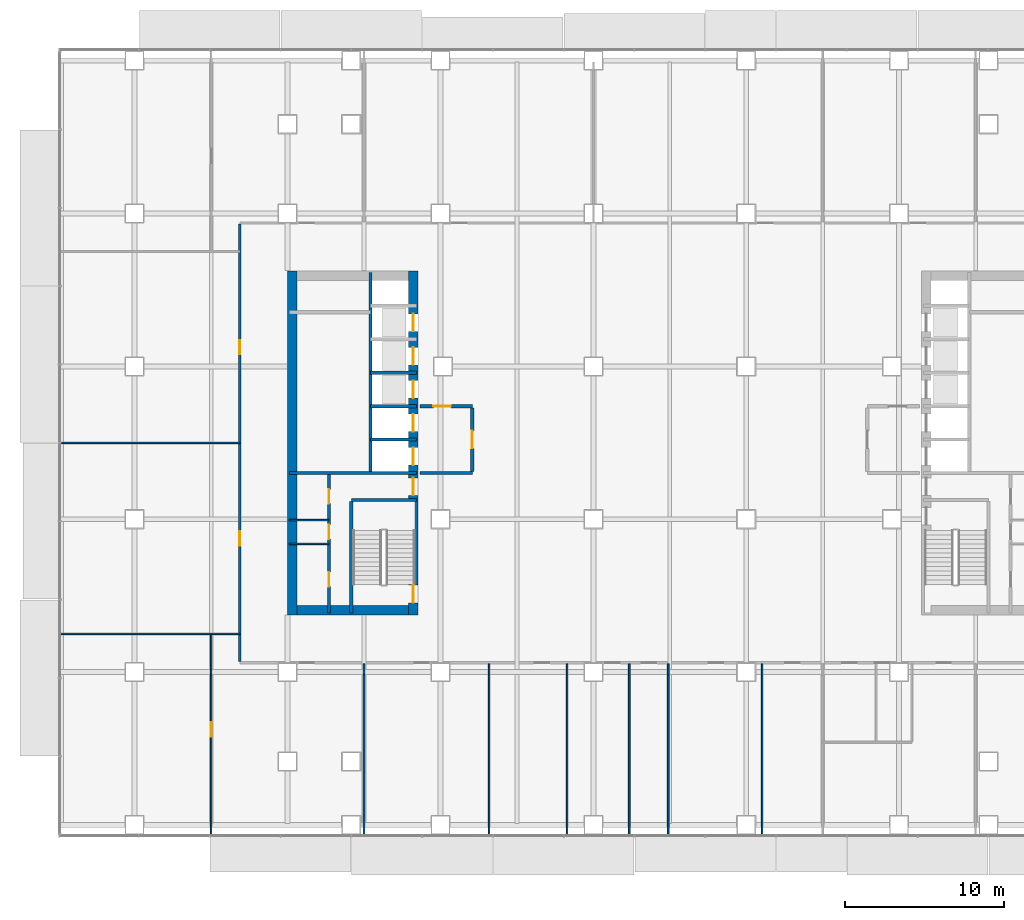
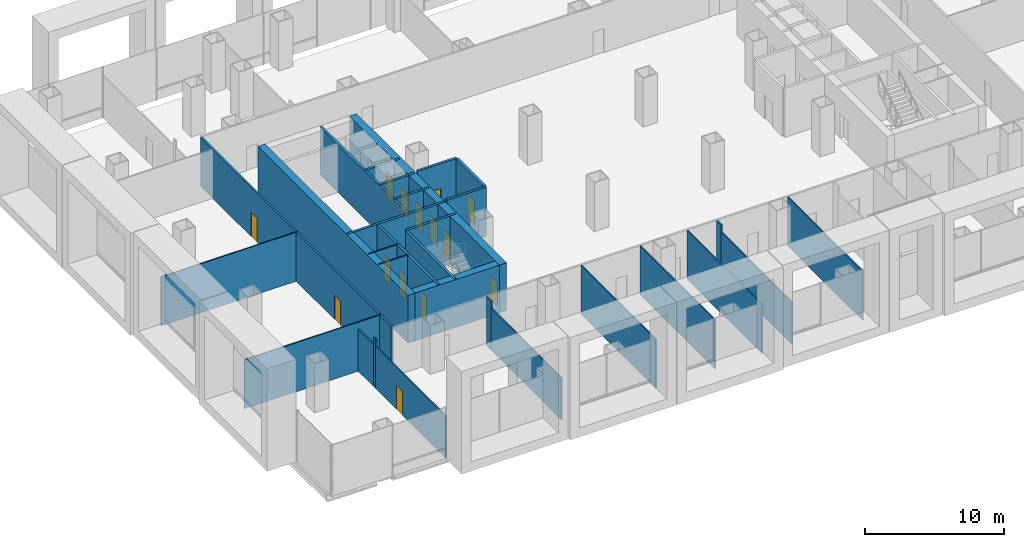
# One storey, part 14 of 23: 30 walls, 15 doors, 15 openings.
"""IFC4 building model written with IfcOpenShell, lengths in metres."""

import ifcopenshell
import ifcopenshell.guid

model = None  # the IFC model being written
_history = None  # IfcOwnerHistory: only IFC2X3 demands one
_inside = {}  # id of a spatial element -> (the spatial element, [elements in it])
_under = {}  # id of a project, library or spatial element -> (it, [spatial elements below it])
_declared = {}  # id of a project -> (the project, [libraries it declares])
_typed = {}  # id of a type object -> (the type object, [elements of that type])
_made_of = {}  # id of a material, layer set ... -> (it, [elements and type objects made of it])


def new_model(schema):
    """Start an empty IFC model of exactly this schema.

    Asked for "IFC4X3", IfcOpenShell would pick the latest addendum, in which some entities
    have other attributes; the version numbers below select the first issue.
    IFC2X3 requires an IfcOwnerHistory on every rooted entity: one is made here for all.
    """
    global model, _history
    if schema == "IFC4X3":
        model = ifcopenshell.file(schema_version=(4, 3, 0, 0))
    else:
        model = ifcopenshell.file(schema=schema)
    _inside.clear()
    _under.clear()
    _declared.clear()
    _typed.clear()
    _made_of.clear()
    _history = None
    if model.schema == "IFC2X3":
        org = make("IfcOrganization", Name="unknown")
        user = make(
            "IfcPersonAndOrganization",
            ThePerson=make("IfcPerson", FamilyName="unknown"),
            TheOrganization=org,
        )
        app = make(
            "IfcApplication",
            ApplicationDeveloper=org,
            Version="unknown",
            ApplicationFullName="unknown",
            ApplicationIdentifier="unknown",
        )
        _history = make(
            "IfcOwnerHistory",
            OwningUser=user,
            OwningApplication=app,
            ChangeAction="ADDED",
            CreationDate=0,
        )
    return model


def make(cls, **values):
    """One entity of the class cls with the attributes given. An attribute that is None is left unset."""
    return model.create_entity(
        cls, **{name: value for name, value in values.items() if value is not None}
    )


def rooted(cls, **values):
    """An entity with a GlobalId (a new one), such as an element, a storey or a relation."""
    return make(cls, GlobalId=ifcopenshell.guid.new(), OwnerHistory=_history, **values)


def si_unit(unit_type, name, prefix=None):
    """IfcSIUnit, for example si_unit("LENGTHUNIT", "METRE", prefix="MILLI")."""
    return make("IfcSIUnit", UnitType=unit_type, Prefix=prefix, Name=name)


def assignment(units):
    """IfcUnitAssignment: the units of a project."""
    return None if units is None else make("IfcUnitAssignment", Units=units)


def point(xyz):
    """IfcCartesianPoint."""
    return None if xyz is None else make("IfcCartesianPoint", Coordinates=xyz)


def direction(xyz):
    """IfcDirection."""
    return None if xyz is None else make("IfcDirection", DirectionRatios=xyz)


def frame(location, z_axis=None, x_axis=None):
    """IfcAxis2Placement3D, a coordinate frame: its origin and axes. An axis left out is left unset."""
    return make(
        "IfcAxis2Placement3D",
        Location=point(location),
        Axis=direction(z_axis),
        RefDirection=direction(x_axis),
    )


def frame_2d(location, x_axis=None):
    """IfcAxis2Placement2D, a coordinate frame in the plane: its origin and x axis."""
    return make(
        "IfcAxis2Placement2D", Location=point(location), RefDirection=direction(x_axis)
    )


def origin():
    """The frame at (0, 0, 0) with its axes left unset."""
    return frame((0.0, 0.0, 0.0))


def place(relative_to, where):
    """IfcLocalPlacement: puts the frame where relative to a parent placement (None: the world)."""
    return make(
        "IfcLocalPlacement", PlacementRelTo=relative_to, RelativePlacement=where
    )


def context(
    kind, dimensions, precision=None, world=None, true_north=None, identifier=None
):
    """IfcGeometricRepresentationContext, for example the 3D "Model" context."""
    return make(
        "IfcGeometricRepresentationContext",
        ContextIdentifier=identifier,
        ContextType=kind,
        CoordinateSpaceDimension=dimensions,
        Precision=precision,
        WorldCoordinateSystem=world,
        TrueNorth=true_north,
    )


def subcontext(parent, identifier, kind, view, scale=None):
    """IfcGeometricRepresentationSubContext, for example "Body" below "Model"."""
    return make(
        "IfcGeometricRepresentationSubContext",
        ContextIdentifier=identifier,
        ContextType=kind,
        ParentContext=parent,
        TargetScale=scale,
        TargetView=view,
    )


def project(units=None, contexts=None):
    """IfcProject with its units and contexts."""
    return rooted(
        "IfcProject",
        Name="project",
        RepresentationContexts=contexts,
        UnitsInContext=assignment(units),
    )


def spatial(cls, under=None, at=None, **own):
    """A site, building, storey or space (cls), placed at a placement, below another one or the project."""
    s = rooted(cls, ObjectPlacement=at, **own)
    if under is not None:
        _under.setdefault(under.id(), (under, []))[1].append(s)
    return s


def profile(cls, at=None, kind="AREA", **sizes):
    """A parametric profile (cls). Its sizes go by their IFC names, for example OverallWidth=200.0."""
    return make(cls, ProfileType=kind, Position=at, **sizes)


def rectangle(**sizes):
    """IfcRectangleProfileDef."""
    return profile("IfcRectangleProfileDef", **sizes)


def extrude(swept, where, along, depth):
    """IfcExtrudedAreaSolid: the profile swept, set in the frame where, extruded along a direction by depth."""
    return make(
        "IfcExtrudedAreaSolid",
        SweptArea=swept,
        Position=where,
        ExtrudedDirection=direction(along),
        Depth=depth,
    )


def shape(context_of_items, identifier, shape_type, items):
    """IfcShapeRepresentation: the items that make up one representation, for example the "Body"."""
    return make(
        "IfcShapeRepresentation",
        ContextOfItems=context_of_items,
        RepresentationIdentifier=identifier,
        RepresentationType=shape_type,
        Items=items,
    )


def material(Name=None, Category=None):
    """IfcMaterial."""
    return make("IfcMaterial", Name=Name, Category=Category)


def layer(
    of_material, thickness, ventilated=None, Name=None, Category=None, Priority=None
):
    """IfcMaterialLayer: one layer of a wall or slab, of a material (None: an air gap)."""
    return make(
        "IfcMaterialLayer",
        Material=of_material,
        LayerThickness=thickness,
        IsVentilated=ventilated,
        Name=Name,
        Category=Category,
        Priority=Priority,
    )


def layer_set(layers, Name=None):
    """IfcMaterialLayerSet."""
    return make("IfcMaterialLayerSet", MaterialLayers=layers, LayerSetName=Name)


def made_of(thing, what):
    """Note that an element or type object is made of a material, layer set ...; save() writes the relation."""
    if what is not None:
        _made_of.setdefault(what.id(), (what, []))[1].append(thing)
    return thing


def type_object(cls, material=None, **own):
    """A type object (cls), such as IfcWallType, which elements share."""
    return made_of(rooted(cls, **own), material)


def element(
    cls,
    number,
    at=None,
    inside=None,
    cuts=None,
    type_object=None,
    material=None,
    context=None,
    identifier="Body",
    shape_type=None,
    held_by="IfcProductDefinitionShape",
    body=None,
    shapes=None,
    **own,
):
    """One element of the class cls, such as IfcWall. Its Tag is "e" and its number.

    at: its placement. inside: the storey or other place that contains it. cuts: it is an
    opening in that element (IfcRelVoidsElement). A single representation is given by context,
    identifier, shape_type and body (its items); several are given by shapes. held_by: the class
    of the entity that holds the representations. save() writes the other relations.
    """
    e = rooted(cls, Tag="e%d" % number, ObjectPlacement=at, **own)
    if body is not None:
        shapes = [shape(context, identifier, shape_type, body)]
    if shapes is not None:
        e.Representation = make(held_by, Representations=shapes)
    if inside is not None:
        _inside.setdefault(inside.id(), (inside, []))[1].append(e)
    if cuts is not None:
        rooted(
            "IfcRelVoidsElement", RelatingBuildingElement=cuts, RelatedOpeningElement=e
        )
    if type_object is not None:
        _typed.setdefault(type_object.id(), (type_object, []))[1].append(e)
    return made_of(e, material)


def fill(opening, filler):
    """IfcRelFillsElement: the door or window that sits in an opening."""
    return rooted(
        "IfcRelFillsElement",
        RelatingOpeningElement=opening,
        RelatedBuildingElement=filler,
    )


def aggregate(whole, parts):
    """IfcRelAggregates: a whole, such as a stair, and the parts it consists of."""
    return rooted("IfcRelAggregates", RelatingObject=whole, RelatedObjects=parts)


def save(model, path):
    """Write the relations noted so far, then the file.

    IfcRelAggregates (storeys below a building ...), IfcRelContainedInSpatialStructure (elements
    in a storey), IfcRelDefinesByType, IfcRelAssociatesMaterial and IfcRelDeclares: one each for
    every whole, place, type object, material and project.
    """
    for whole, parts in _under.values():
        aggregate(whole, parts)
    for where, things in _inside.values():
        rooted(
            "IfcRelContainedInSpatialStructure",
            RelatedElements=things,
            RelatingStructure=where,
        )
    for kind, things in _typed.values():
        rooted("IfcRelDefinesByType", RelatedObjects=things, RelatingType=kind)
    for what, things in _made_of.values():
        rooted("IfcRelAssociatesMaterial", RelatedObjects=things, RelatingMaterial=what)
    for by, libraries in _declared.values():
        rooted("IfcRelDeclares", RelatingContext=by, RelatedDefinitions=libraries)
    model.write(path)


model = new_model("IFC4")

# Units and contexts
model_context = context("Model", 3, precision=1e-05, world=origin(), true_north=direction((0.0, 1.0)))
body_context = subcontext(model_context, "Body", "Model", "MODEL_VIEW")
ifc_project = project(units=[si_unit("LENGTHUNIT", "METRE"), si_unit("AREAUNIT", "SQUARE_METRE"), si_unit("VOLUMEUNIT", "CUBIC_METRE"), si_unit("PLANEANGLEUNIT", "RADIAN"), si_unit("MASSUNIT", "GRAM", prefix="KILO")], contexts=[model_context])

# Site, building, storey
site_placement = place(None, origin())
site = spatial("IfcSite", under=ifc_project, at=site_placement, CompositionType="ELEMENT")
building_placement = place(site_placement, origin())
building = spatial("IfcBuilding", under=site, at=building_placement, Name="Cobrizo Arcos Hotel Tower", CompositionType="ELEMENT")
storey_placement = place(building_placement, frame((0.0, 0.0, 24.5)))
storey = spatial("IfcBuildingStorey", under=building, at=storey_placement, Name="L04", CompositionType="ELEMENT", Elevation=24.5)

# Wall, openings, doors
ifc_material_1 = material(Name="Gypsum board partition")
ifc_layer_1 = layer(ifc_material_1, 0.14990234375)
ifc_layer_set_1 = layer_set([ifc_layer_1], Name="Corridor wall EI 60 150")
wall_type_1 = type_object("IfcWallType", Name="Corridor wall EI 60 150", PredefinedType="PARTITIONING", material=ifc_layer_set_1)
wall_1_placement = place(storey_placement, frame((-27.0, -13.72509765625, 0.0), z_axis=(0.0, 0.0, 1.0), x_axis=(0.0, 1.0, 0.0)))
wall_1 = element("IfcWall", 1, at=wall_1_placement, inside=storey, type_object=wall_type_1, Name="Partition 040", PredefinedType="PARTITIONING", context=body_context, shape_type="SweptSolid", body=[
    extrude(rectangle(XDim=27.4501953125, YDim=0.14990234375, at=frame_2d((13.72509765625, 0.0))), origin(), (0.0, 0.0, 1.0), 4.300048828125),
])
opening_1_placement = place(wall_1_placement, frame((7.27490234375, 0.0, 0.0)))
opening_1 = element("IfcOpeningElement", 2, at=opening_1_placement, cuts=wall_1, Name="Opening RD-15", PredefinedType="OPENING", context=body_context, shape_type="SweptSolid", body=[
    extrude(rectangle(XDim=0.89990234375, YDim=2.10009765625, at=frame_2d((0.449951171875, 1.050048828125))), frame((0.0, 0.0869140625, 0.0), z_axis=(0.0, -1.0, 0.0), x_axis=(1.0, 0.0, 0.0)), (0.0, 0.0, 1.0), 0.173828125),
])
opening_2_placement = place(wall_1_placement, frame((19.27490234375, 0.0, 0.0)))
opening_2 = element("IfcOpeningElement", 3, at=opening_2_placement, cuts=wall_1, Name="Opening RD-16", PredefinedType="OPENING", context=body_context, shape_type="SweptSolid", body=[
    extrude(rectangle(XDim=0.89990234375, YDim=2.10009765625, at=frame_2d((0.449951171875, 1.050048828125))), frame((0.0, 0.0869140625, 0.0), z_axis=(0.0, -1.0, 0.0), x_axis=(1.0, 0.0, 0.0)), (0.0, 0.0, 1.0), 0.173828125),
])
ifc_material_2 = material(Name="Timber door leaf", Category="wood")
door_type_1 = type_object("IfcDoorType", Name="Room door FD30 900x2100", OperationType="SINGLE_SWING_LEFT", PredefinedType="DOOR", material=ifc_material_2)
door_1_placement = place(opening_1_placement, origin())
door_1 = element("IfcDoor", 4, at=door_1_placement, inside=storey, type_object=door_type_1, Name="Door RD-15", OperationType="SINGLE_SWING_LEFT", OverallHeight=2.10009765625, OverallWidth=0.89990234375, PredefinedType="DOOR", context=body_context, shape_type="SweptSolid", body=[
    extrude(rectangle(XDim=0.89990234375, YDim=2.10009765625, at=frame_2d((0.449951171875, 1.050048828125))), frame((0.0, 0.02490234375, 0.0), z_axis=(0.0, -1.0, 0.0), x_axis=(1.0, 0.0, 0.0)), (0.0, 0.0, 1.0), 0.050048828125),
])
fill(opening_1, door_1)
door_2_placement = place(opening_2_placement, origin())
door_2 = element("IfcDoor", 5, at=door_2_placement, inside=storey, type_object=door_type_1, Name="Door RD-16", OperationType="SINGLE_SWING_RIGHT", OverallHeight=2.10009765625, OverallWidth=0.89990234375, PredefinedType="DOOR", context=body_context, shape_type="SweptSolid", body=[
    extrude(rectangle(XDim=0.89990234375, YDim=2.10009765625, at=frame_2d((0.449951171875, 1.050048828125))), frame((0.0, 0.02490234375, 0.0), z_axis=(0.0, -1.0, 0.0), x_axis=(1.0, 0.0, 0.0)), (0.0, 0.0, 1.0), 0.050048828125),
])
fill(opening_2, door_2)

# Walls
ifc_layer_2 = layer(ifc_material_1, 0.10009765625)
ifc_layer_set_2 = layer_set([ifc_layer_2], Name="Partition EI 30 100")
wall_type_2 = type_object("IfcWallType", Name="Partition EI 30 100", PredefinedType="PARTITIONING", material=ifc_layer_set_2)
wall_2_placement = place(storey_placement, frame((-38.280029296875, -12.0, 0.0), z_axis=(0.0, 0.0, 1.0), x_axis=(1.0, 0.0, 0.0)))
element("IfcWall", 6, at=wall_2_placement, inside=storey, type_object=wall_type_2, Name="Partition 003", PredefinedType="PARTITIONING", context=body_context, shape_type="SweptSolid", body=[
    extrude(rectangle(XDim=11.280029296875, YDim=0.10009765625, at=frame_2d((5.64013671875, 0.0))), origin(), (0.0, 0.0, 1.0), 4.300048828125),
])
for number, where, z_axis, x_axis, name in (
    (7, (-23.8798828125, -6.35009765625, 0.0), (0.0, 0.0, 1.0), (1.0, 0.0, 0.0), "Partition 005"),
    (8, (-23.8798828125, -4.85009765625, 0.0), (0.0, 0.0, 1.0), (1.0, 0.0, 0.0), "Partition 007"),
):
    element("IfcWall", number, at=place(storey_placement, frame(where, z_axis=z_axis, x_axis=x_axis)), inside=storey, type_object=wall_type_2, Name=name, PredefinedType="PARTITIONING", context=body_context, shape_type="SweptSolid", body=[
        extrude(rectangle(XDim=2.47998046875, YDim=0.10009765625, at=frame_2d((1.239990234375, 0.0))), origin(), (0.0, 0.0, 1.0), 4.199951171875),
    ])
wall_3_placement = place(storey_placement, frame((-38.280029296875, 0.0, 0.0), z_axis=(0.0, 0.0, 1.0), x_axis=(1.0, 0.0, 0.0)))
element("IfcWall", 9, at=wall_3_placement, inside=storey, type_object=wall_type_2, Name="Partition 015", PredefinedType="PARTITIONING", context=body_context, shape_type="SweptSolid", body=[
    extrude(rectangle(XDim=11.280029296875, YDim=0.10009765625, at=frame_2d((5.64013671875, 0.0))), origin(), (0.0, 0.0, 1.0), 4.300048828125),
])

# Wall, opening, door
wall_4_placement = place(storey_placement, frame((-28.800048828125, -24.6298828125, 0.0), z_axis=(0.0, 0.0, 1.0), x_axis=(0.0, 1.0, 0.0)))
wall_4 = element("IfcWall", 10, at=wall_4_placement, inside=storey, type_object=wall_type_2, Name="Partition 034", PredefinedType="PARTITIONING", context=body_context, shape_type="SweptSolid", body=[
    extrude(rectangle(XDim=10.076171875, YDim=0.10009765625, at=frame_2d((5.0380859375, 0.0))), origin(), (0.0, 0.0, 1.0), 3.68310546875),
])
opening_3_placement = place(wall_4_placement, frame((6.179931640625, 0.0, 0.0)))
opening_3 = element("IfcOpeningElement", 11, at=opening_3_placement, cuts=wall_4, Name="Opening RD-25", PredefinedType="OPENING", context=body_context, shape_type="SweptSolid", body=[
    extrude(rectangle(XDim=0.89990234375, YDim=2.10009765625, at=frame_2d((0.449951171875, 1.050048828125))), frame((0.0, 0.06201171875, 0.0), z_axis=(0.0, -1.0, 0.0), x_axis=(1.0, 0.0, 0.0)), (0.0, 0.0, 1.0), 0.1240234375),
])
door_3_placement = place(opening_3_placement, origin())
door_3 = element("IfcDoor", 12, at=door_3_placement, inside=storey, type_object=door_type_1, Name="Door RD-25", OperationType="SINGLE_SWING_LEFT", OverallHeight=2.10009765625, OverallWidth=0.89990234375, PredefinedType="DOOR", context=body_context, shape_type="SweptSolid", body=[
    extrude(rectangle(XDim=0.89990234375, YDim=2.10009765625, at=frame_2d((0.449951171875, 1.050048828125))), frame((0.0, 0.02490234375, 0.0), z_axis=(0.0, -1.0, 0.0), x_axis=(1.0, 0.0, 0.0)), (0.0, 0.0, 1.0), 0.050048828125),
])
fill(opening_3, door_3)

# Walls
wall_5_placement = place(storey_placement, frame((-28.800048828125, -14.553955078125, 0.0), z_axis=(0.0, 0.0, 1.0), x_axis=(0.0, 1.0, 0.0)))
element("IfcWall", 13, at=wall_5_placement, inside=storey, type_object=wall_type_2, Name="Partition 035", PredefinedType="PARTITIONING", context=body_context, shape_type="SweptSolid", body=[
    extrude(rectangle(XDim=0.307861328125, YDim=0.10009765625, at=frame_2d((0.15380859375, 0.0))), origin(), (0.0, 0.0, 1.0), 4.300048828125),
])
wall_6_placement = place(storey_placement, frame((-28.800048828125, -14.24609375, 0.0), z_axis=(0.0, 0.0, 1.0), x_axis=(0.0, 1.0, 0.0)))
element("IfcWall", 14, at=wall_6_placement, inside=storey, type_object=wall_type_2, Name="Partition 036", PredefinedType="PARTITIONING", context=body_context, shape_type="SweptSolid", body=[
    extrude(rectangle(XDim=2.196044921875, YDim=0.10009765625, at=frame_2d((1.09814453125, 0.0))), origin(), (0.0, 0.0, 1.0), 3.68310546875),
])
wall_7_placement = place(storey_placement, frame((-19.199951171875, -24.6298828125, 0.0), z_axis=(0.0, 0.0, 1.0), x_axis=(0.0, 1.0, 0.0)))
element("IfcWall", 15, at=wall_7_placement, inside=storey, type_object=wall_type_2, Name="Partition 043", PredefinedType="PARTITIONING", context=body_context, shape_type="SweptSolid", body=[
    extrude(rectangle(XDim=10.076171875, YDim=0.10009765625, at=frame_2d((5.0380859375, 0.0))), origin(), (0.0, 0.0, 1.0), 3.68310546875),
])
wall_8_placement = place(storey_placement, frame((-19.199951171875, -14.553955078125, 0.0), z_axis=(0.0, 0.0, 1.0), x_axis=(0.0, 1.0, 0.0)))
element("IfcWall", 16, at=wall_8_placement, inside=storey, type_object=wall_type_2, Name="Partition 044", PredefinedType="PARTITIONING", context=body_context, shape_type="SweptSolid", body=[
    extrude(rectangle(XDim=0.678955078125, YDim=0.10009765625, at=frame_2d((0.33935546875, 0.0))), origin(), (0.0, 0.0, 1.0), 4.300048828125),
])
for number, where, z_axis, x_axis, name in (
    (17, (-11.35009765625, -24.6298828125, 0.0), (0.0, 0.0, 1.0), (0.0, 1.0, 0.0), "Partition 049"),
    (18, (-6.449951171875, -24.6298828125, 0.0), (0.0, 0.0, 1.0), (0.0, 1.0, 0.0), "Partition 050"),
    (19, (-2.550048828125, -24.6298828125, 0.0), (0.0, 0.0, 1.0), (0.0, 1.0, 0.0), "Partition 054"),
):
    element("IfcWall", number, at=place(storey_placement, frame(where, z_axis=z_axis, x_axis=x_axis)), inside=storey, type_object=wall_type_2, Name=name, PredefinedType="PARTITIONING", context=body_context, shape_type="SweptSolid", body=[
        extrude(rectangle(XDim=10.7548828125, YDim=0.10009765625, at=frame_2d((5.37744140625, 0.0))), origin(), (0.0, 0.0, 1.0), 4.300048828125),
    ])
wall_9_placement = place(storey_placement, frame((-0.10009765625, -24.6298828125, 0.0), z_axis=(0.0, 0.0, 1.0), x_axis=(0.0, 1.0, 0.0)))
element("IfcWall", 20, at=wall_9_placement, inside=storey, type_object=wall_type_2, Name="Partition 055", PredefinedType="PARTITIONING", context=body_context, shape_type="SweptSolid", body=[
    extrude(rectangle(XDim=10.076171875, YDim=0.10009765625, at=frame_2d((5.0380859375, 0.0))), origin(), (0.0, 0.0, 1.0), 3.68310546875),
])
wall_10_placement = place(storey_placement, frame((-0.10009765625, -14.553955078125, 0.0), z_axis=(0.0, 0.0, 1.0), x_axis=(0.0, 1.0, 0.0)))
element("IfcWall", 21, at=wall_10_placement, inside=storey, type_object=wall_type_2, Name="Partition 056", PredefinedType="PARTITIONING", context=body_context, shape_type="SweptSolid", body=[
    extrude(rectangle(XDim=0.678955078125, YDim=0.10009765625, at=frame_2d((0.33935546875, 0.0))), origin(), (0.0, 0.0, 1.0), 4.300048828125),
])
wall_11_placement = place(storey_placement, frame((5.800048828125, -24.6298828125, 0.0), z_axis=(0.0, 0.0, 1.0), x_axis=(0.0, 1.0, 0.0)))
element("IfcWall", 22, at=wall_11_placement, inside=storey, type_object=wall_type_2, Name="Partition 057", PredefinedType="PARTITIONING", context=body_context, shape_type="SweptSolid", body=[
    extrude(rectangle(XDim=10.7548828125, YDim=0.10009765625, at=frame_2d((5.37744140625, 0.0))), origin(), (0.0, 0.0, 1.0), 4.300048828125),
])

# Wall, openings, doors
ifc_material_3 = material(Name="Concrete f'c 60 MPa", Category="concrete")
ifc_layer_3 = layer(ifc_material_3, 0.60009765625)
ifc_layer_set_3 = layer_set([ifc_layer_3], Name="RC core wall 600 f'c 60")
wall_type_3 = type_object("IfcWallType", Name="RC core wall 600 f'c 60", PredefinedType="SHEAR", material=ifc_layer_set_3)
wall_12_placement = place(storey_placement, frame((-16.10009765625, -10.800048828125, 0.0), z_axis=(0.0, 0.0, 1.0), x_axis=(0.0, 1.0, 0.0)))
wall_12 = element("IfcWall", 23, at=wall_12_placement, inside=storey, type_object=wall_type_3, Name="Core wall CW1, west core, inner face, L04", PredefinedType="SHEAR", context=body_context, shape_type="SweptSolid", body=[
    extrude(rectangle(XDim=21.60009765625, YDim=0.60009765625, at=frame_2d((10.800048828125, 0.0))), origin(), (0.0, 0.0, 1.0), 4.199951171875),
])
opening_4_placement = place(wall_12_placement, frame((9.39990234375, 0.0, 0.0)))
opening_4 = element("IfcOpeningElement", 24, at=opening_4_placement, cuts=wall_12, Name="Opening LD-01", PredefinedType="OPENING", context=body_context, shape_type="SweptSolid", body=[
    extrude(rectangle(XDim=1.10009765625, YDim=2.10009765625, at=frame_2d((0.550048828125, 1.050048828125))), frame((0.0, 0.31201171875, 0.0), z_axis=(0.0, -1.0, 0.0), x_axis=(1.0, 0.0, 0.0)), (0.0, 0.0, 1.0), 0.6240234375),
])
opening_5_placement = place(wall_12_placement, frame((11.5, 0.0, 0.0)))
opening_5 = element("IfcOpeningElement", 25, at=opening_5_placement, cuts=wall_12, Name="Opening LD-02", PredefinedType="OPENING", context=body_context, shape_type="SweptSolid", body=[
    extrude(rectangle(XDim=1.10009765625, YDim=2.10009765625, at=frame_2d((0.550048828125, 1.050048828125))), frame((0.0, 0.31201171875, 0.0), z_axis=(0.0, -1.0, 0.0), x_axis=(1.0, 0.0, 0.0)), (0.0, 0.0, 1.0), 0.6240234375),
])
opening_6_placement = place(wall_12_placement, frame((13.60009765625, 0.0, 0.0)))
opening_6 = element("IfcOpeningElement", 26, at=opening_6_placement, cuts=wall_12, Name="Opening LD-03", PredefinedType="OPENING", context=body_context, shape_type="SweptSolid", body=[
    extrude(rectangle(XDim=1.10009765625, YDim=2.10009765625, at=frame_2d((0.550048828125, 1.050048828125))), frame((0.0, 0.31201171875, 0.0), z_axis=(0.0, -1.0, 0.0), x_axis=(1.0, 0.0, 0.0)), (0.0, 0.0, 1.0), 0.6240234375),
])
opening_7_placement = place(wall_12_placement, frame((15.699951171875, 0.0, 0.0)))
opening_7 = element("IfcOpeningElement", 27, at=opening_7_placement, cuts=wall_12, Name="Opening LD-04", PredefinedType="OPENING", context=body_context, shape_type="SweptSolid", body=[
    extrude(rectangle(XDim=1.10009765625, YDim=2.10009765625, at=frame_2d((0.550048828125, 1.050048828125))), frame((0.0, 0.31201171875, 0.0), z_axis=(0.0, -1.0, 0.0), x_axis=(1.0, 0.0, 0.0)), (0.0, 0.0, 1.0), 0.6240234375),
])
opening_8_placement = place(wall_12_placement, frame((17.800048828125, 0.0, 0.0)))
opening_8 = element("IfcOpeningElement", 28, at=opening_8_placement, cuts=wall_12, Name="Opening LD-05", PredefinedType="OPENING", context=body_context, shape_type="SweptSolid", body=[
    extrude(rectangle(XDim=1.10009765625, YDim=2.10009765625, at=frame_2d((0.550048828125, 1.050048828125))), frame((0.0, 0.31201171875, 0.0), z_axis=(0.0, -1.0, 0.0), x_axis=(1.0, 0.0, 0.0)), (0.0, 0.0, 1.0), 0.6240234375),
])
opening_9_placement = place(wall_12_placement, frame((0.758056640625, 0.0, 0.0)))
opening_9 = element("IfcOpeningElement", 29, at=opening_9_placement, cuts=wall_12, Name="Opening SD-01", PredefinedType="OPENING", context=body_context, shape_type="SweptSolid", body=[
    extrude(rectangle(XDim=1.10009765625, YDim=2.10009765625, at=frame_2d((0.550048828125, 1.050048828125))), frame((0.0, 0.31201171875, 0.0), z_axis=(0.0, -1.0, 0.0), x_axis=(1.0, 0.0, 0.0)), (0.0, 0.0, 1.0), 0.6240234375),
])
opening_10_placement = place(wall_12_placement, frame((7.5, 0.0, 0.0)))
opening_10 = element("IfcOpeningElement", 30, at=opening_10_placement, cuts=wall_12, Name="Opening FD-01", PredefinedType="OPENING", context=body_context, shape_type="SweptSolid", body=[
    extrude(rectangle(XDim=1.10009765625, YDim=2.10009765625, at=frame_2d((0.550048828125, 1.050048828125))), frame((0.0, 0.31201171875, 0.0), z_axis=(0.0, -1.0, 0.0), x_axis=(1.0, 0.0, 0.0)), (0.0, 0.0, 1.0), 0.6240234375),
])
ifc_material_4 = material(Name="Steel door leaf", Category="steel")
door_type_2 = type_object("IfcDoorType", Name="Fire door FD60 1100x2100", OperationType="SINGLE_SWING_LEFT", PredefinedType="DOOR", material=ifc_material_4)
door_4_placement = place(opening_10_placement, origin())
door_4 = element("IfcDoor", 31, at=door_4_placement, inside=storey, type_object=door_type_2, Name="Door FD-01", OperationType="SINGLE_SWING_LEFT", OverallHeight=2.10009765625, OverallWidth=1.10009765625, PredefinedType="DOOR", context=body_context, shape_type="SweptSolid", body=[
    extrude(rectangle(XDim=1.10009765625, YDim=2.10009765625, at=frame_2d((0.550048828125, 1.050048828125))), frame((0.0, 0.02490234375, 0.0), z_axis=(0.0, -1.0, 0.0), x_axis=(1.0, 0.0, 0.0)), (0.0, 0.0, 1.0), 0.050048828125),
])
fill(opening_10, door_4)
door_type_3 = type_object("IfcDoorType", Name="Lift landing door 1100x2100", OperationType="SLIDING_TO_LEFT", PredefinedType="DOOR", material=ifc_material_4)
door_5_placement = place(opening_4_placement, origin())
door_5 = element("IfcDoor", 32, at=door_5_placement, inside=storey, type_object=door_type_3, Name="Lift landing door LD-01", OperationType="SLIDING_TO_LEFT", OverallHeight=2.10009765625, OverallWidth=1.10009765625, PredefinedType="DOOR", context=body_context, shape_type="SweptSolid", body=[
    extrude(rectangle(XDim=1.10009765625, YDim=2.10009765625, at=frame_2d((0.550048828125, 1.050048828125))), frame((0.0, 0.02490234375, 0.0), z_axis=(0.0, -1.0, 0.0), x_axis=(1.0, 0.0, 0.0)), (0.0, 0.0, 1.0), 0.050048828125),
])
fill(opening_4, door_5)
door_6_placement = place(opening_5_placement, origin())
door_6 = element("IfcDoor", 33, at=door_6_placement, inside=storey, type_object=door_type_3, Name="Lift landing door LD-02", OperationType="SLIDING_TO_LEFT", OverallHeight=2.10009765625, OverallWidth=1.10009765625, PredefinedType="DOOR", context=body_context, shape_type="SweptSolid", body=[
    extrude(rectangle(XDim=1.10009765625, YDim=2.10009765625, at=frame_2d((0.550048828125, 1.050048828125))), frame((0.0, 0.02490234375, 0.0), z_axis=(0.0, -1.0, 0.0), x_axis=(1.0, 0.0, 0.0)), (0.0, 0.0, 1.0), 0.050048828125),
])
fill(opening_5, door_6)
door_7_placement = place(opening_6_placement, origin())
door_7 = element("IfcDoor", 34, at=door_7_placement, inside=storey, type_object=door_type_3, Name="Lift landing door LD-03", OperationType="SLIDING_TO_LEFT", OverallHeight=2.10009765625, OverallWidth=1.10009765625, PredefinedType="DOOR", context=body_context, shape_type="SweptSolid", body=[
    extrude(rectangle(XDim=1.10009765625, YDim=2.10009765625, at=frame_2d((0.550048828125, 1.050048828125))), frame((0.0, 0.02490234375, 0.0), z_axis=(0.0, -1.0, 0.0), x_axis=(1.0, 0.0, 0.0)), (0.0, 0.0, 1.0), 0.050048828125),
])
fill(opening_6, door_7)
door_8_placement = place(opening_7_placement, origin())
door_8 = element("IfcDoor", 35, at=door_8_placement, inside=storey, type_object=door_type_3, Name="Lift landing door LD-04", OperationType="SLIDING_TO_LEFT", OverallHeight=2.10009765625, OverallWidth=1.10009765625, PredefinedType="DOOR", context=body_context, shape_type="SweptSolid", body=[
    extrude(rectangle(XDim=1.10009765625, YDim=2.10009765625, at=frame_2d((0.550048828125, 1.050048828125))), frame((0.0, 0.02490234375, 0.0), z_axis=(0.0, -1.0, 0.0), x_axis=(1.0, 0.0, 0.0)), (0.0, 0.0, 1.0), 0.050048828125),
])
fill(opening_7, door_8)
door_9_placement = place(opening_8_placement, origin())
door_9 = element("IfcDoor", 36, at=door_9_placement, inside=storey, type_object=door_type_3, Name="Lift landing door LD-05", OperationType="SLIDING_TO_LEFT", OverallHeight=2.10009765625, OverallWidth=1.10009765625, PredefinedType="DOOR", context=body_context, shape_type="SweptSolid", body=[
    extrude(rectangle(XDim=1.10009765625, YDim=2.10009765625, at=frame_2d((0.550048828125, 1.050048828125))), frame((0.0, 0.02490234375, 0.0), z_axis=(0.0, -1.0, 0.0), x_axis=(1.0, 0.0, 0.0)), (0.0, 0.0, 1.0), 0.050048828125),
])
fill(opening_8, door_9)
door_type_4 = type_object("IfcDoorType", Name="Stair door FD60S 1100x2100", OperationType="SINGLE_SWING_LEFT", PredefinedType="DOOR", material=ifc_material_4)
door_10_placement = place(opening_9_placement, origin())
door_10 = element("IfcDoor", 37, at=door_10_placement, inside=storey, type_object=door_type_4, Name="Door SD-01", OperationType="SINGLE_SWING_RIGHT", OverallHeight=2.10009765625, OverallWidth=1.10009765625, PredefinedType="DOOR", context=body_context, shape_type="SweptSolid", body=[
    extrude(rectangle(XDim=1.10009765625, YDim=2.10009765625, at=frame_2d((0.550048828125, 1.050048828125))), frame((0.0, 0.02490234375, 0.0), z_axis=(0.0, -1.0, 0.0), x_axis=(1.0, 0.0, 0.0)), (0.0, 0.0, 1.0), 0.050048828125),
])
fill(opening_9, door_10)

# Walls
wall_13_placement = place(storey_placement, frame((-23.699951171875, -10.800048828125, 0.0), z_axis=(0.0, 0.0, 1.0), x_axis=(0.0, 1.0, 0.0)))
element("IfcWall", 38, at=wall_13_placement, inside=storey, type_object=wall_type_3, Name="Core wall CW1, west core, outer face, L04", PredefinedType="SHEAR", context=body_context, shape_type="SweptSolid", body=[
    extrude(rectangle(XDim=21.60009765625, YDim=0.60009765625, at=frame_2d((10.800048828125, 0.0))), origin(), (0.0, 0.0, 1.0), 4.199951171875),
])
wall_14_placement = place(storey_placement, frame((-23.39990234375, -10.5, 0.0), z_axis=(0.0, 0.0, 1.0), x_axis=(1.0, 0.0, 0.0)))
element("IfcWall", 39, at=wall_14_placement, inside=storey, type_object=wall_type_3, Name="Core wall CW1, west core, south end, L04", PredefinedType="SHEAR", context=body_context, shape_type="SweptSolid", body=[
    extrude(rectangle(XDim=7.0, YDim=0.60009765625, at=frame_2d((3.5, 0.0))), origin(), (0.0, 0.0, 1.0), 4.199951171875),
])
ifc_layer_4 = layer(ifc_material_1, 0.199951171875)
ifc_layer_set_4 = layer_set([ifc_layer_4], Name="Shaft wall EI 120 200")
wall_type_4 = type_object("IfcWallType", Name="Shaft wall EI 120 200", PredefinedType="PARTITIONING", material=ifc_layer_set_4)
wall_15_placement = place(storey_placement, frame((-23.8798828125, -1.89990234375, 0.0), z_axis=(0.0, 0.0, 1.0), x_axis=(1.0, 0.0, 0.0)))
element("IfcWall", 40, at=wall_15_placement, inside=storey, type_object=wall_type_4, Name="Partition 011", PredefinedType="PARTITIONING", context=body_context, shape_type="SweptSolid", body=[
    extrude(rectangle(XDim=7.9599609375, YDim=0.199951171875, at=frame_2d((3.97998046875, 0.0))), origin(), (0.0, 0.0, 1.0), 4.199951171875),
])
wall_16_placement = place(storey_placement, frame((-15.679931640625, -1.89990234375, 0.0), z_axis=(0.0, 0.0, 1.0), x_axis=(1.0, 0.0, 0.0)))
element("IfcWall", 41, at=wall_16_placement, inside=storey, type_object=wall_type_4, Name="Partition 012", PredefinedType="PARTITIONING", context=body_context, shape_type="SweptSolid", body=[
    extrude(rectangle(XDim=3.280029296875, YDim=0.199951171875, at=frame_2d((1.64013671875, 0.0))), origin(), (0.0, 0.0, 1.0), 4.300048828125),
])
for number, where, z_axis, x_axis, name in (
    (42, (-18.800048828125, 0.199951171875, 0.0), (0.0, 0.0, 1.0), (1.0, 0.0, 0.0), "Partition 017"),
    (43, (-18.800048828125, 2.300048828125, 0.0), (0.0, 0.0, 1.0), (1.0, 0.0, 0.0), "Partition 019"),
):
    element("IfcWall", number, at=place(storey_placement, frame(where, z_axis=z_axis, x_axis=x_axis)), inside=storey, type_object=wall_type_4, Name=name, PredefinedType="PARTITIONING", context=body_context, shape_type="SweptSolid", body=[
        extrude(rectangle(XDim=2.880126953125, YDim=0.199951171875, at=frame_2d((1.43994140625, 0.0))), origin(), (0.0, 0.0, 1.0), 4.199951171875),
    ])

# Wall, opening, door
wall_17_placement = place(storey_placement, frame((-15.679931640625, 2.300048828125, 0.0), z_axis=(0.0, 0.0, 1.0), x_axis=(1.0, 0.0, 0.0)))
wall_17 = element("IfcWall", 44, at=wall_17_placement, inside=storey, type_object=wall_type_4, Name="Partition 020", PredefinedType="PARTITIONING", context=body_context, shape_type="SweptSolid", body=[
    extrude(rectangle(XDim=3.280029296875, YDim=0.199951171875, at=frame_2d((1.64013671875, 0.0))), origin(), (0.0, 0.0, 1.0), 4.300048828125),
])
opening_11_placement = place(wall_17_placement, frame((0.840087890625, 0.0, 0.0)))
opening_11 = element("IfcOpeningElement", 45, at=opening_11_placement, cuts=wall_17, Name="Opening FD-03", PredefinedType="OPENING", context=body_context, shape_type="SweptSolid", body=[
    extrude(rectangle(XDim=1.10009765625, YDim=2.10009765625, at=frame_2d((0.550048828125, 1.050048828125))), frame((0.0, 0.112060546875, 0.0), z_axis=(0.0, -1.0, 0.0), x_axis=(1.0, 0.0, 0.0)), (0.0, 0.0, 1.0), 0.223876953125),
])
door_11_placement = place(opening_11_placement, origin())
door_11 = element("IfcDoor", 46, at=door_11_placement, inside=storey, type_object=door_type_2, Name="Door FD-03", OperationType="SINGLE_SWING_RIGHT", OverallHeight=2.10009765625, OverallWidth=1.10009765625, PredefinedType="DOOR", context=body_context, shape_type="SweptSolid", body=[
    extrude(rectangle(XDim=1.10009765625, YDim=2.10009765625, at=frame_2d((0.550048828125, 1.050048828125))), frame((0.0, 0.02490234375, 0.0), z_axis=(0.0, -1.0, 0.0), x_axis=(1.0, 0.0, 0.0)), (0.0, 0.0, 1.0), 0.050048828125),
])
fill(opening_11, door_11)

# Wall
wall_18_placement = place(storey_placement, frame((-18.800048828125, 4.39990234375, 0.0), z_axis=(0.0, 0.0, 1.0), x_axis=(1.0, 0.0, 0.0)))
element("IfcWall", 47, at=wall_18_placement, inside=storey, type_object=wall_type_4, Name="Partition 023", PredefinedType="PARTITIONING", context=body_context, shape_type="SweptSolid", body=[
    extrude(rectangle(XDim=2.880126953125, YDim=0.199951171875, at=frame_2d((1.43994140625, 0.0))), origin(), (0.0, 0.0, 1.0), 4.199951171875),
])

# Wall, openings, doors
wall_19_placement = place(storey_placement, frame((-21.39990234375, -10.679931640625, 0.0), z_axis=(0.0, 0.0, 1.0), x_axis=(0.0, 1.0, 0.0)))
wall_19 = element("IfcWall", 48, at=wall_19_placement, inside=storey, type_object=wall_type_4, Name="Partition 041", PredefinedType="PARTITIONING", context=body_context, shape_type="SweptSolid", body=[
    extrude(rectangle(XDim=8.679931640625, YDim=0.199951171875, at=frame_2d((4.33984375, 0.0))), origin(), (0.0, 0.0, 1.0), 4.199951171875),
])
opening_12_placement = place(wall_19_placement, frame((1.655029296875, 0.0, 0.0)))
opening_12 = element("IfcOpeningElement", 49, at=opening_12_placement, cuts=wall_19, Name="Opening RD-01", PredefinedType="OPENING", context=body_context, shape_type="SweptSolid", body=[
    extrude(rectangle(XDim=0.89990234375, YDim=2.10009765625, at=frame_2d((0.449951171875, 1.050048828125))), frame((0.0, 0.112060546875, 0.0), z_axis=(0.0, -1.0, 0.0), x_axis=(1.0, 0.0, 0.0)), (0.0, 0.0, 1.0), 0.223876953125),
])
opening_13_placement = place(wall_19_placement, frame((4.636962890625, 0.0, 0.0)))
opening_13 = element("IfcOpeningElement", 50, at=opening_13_placement, cuts=wall_19, Name="Opening RD-02", PredefinedType="OPENING", context=body_context, shape_type="SweptSolid", body=[
    extrude(rectangle(XDim=0.89990234375, YDim=2.10009765625, at=frame_2d((0.449951171875, 1.050048828125))), frame((0.0, 0.112060546875, 0.0), z_axis=(0.0, -1.0, 0.0), x_axis=(1.0, 0.0, 0.0)), (0.0, 0.0, 1.0), 0.223876953125),
])
opening_14_placement = place(wall_19_placement, frame((6.862060546875, 0.0, 0.0)))
opening_14 = element("IfcOpeningElement", 51, at=opening_14_placement, cuts=wall_19, Name="Opening RD-03", PredefinedType="OPENING", context=body_context, shape_type="SweptSolid", body=[
    extrude(rectangle(XDim=0.89990234375, YDim=2.10009765625, at=frame_2d((0.449951171875, 1.050048828125))), frame((0.0, 0.112060546875, 0.0), z_axis=(0.0, -1.0, 0.0), x_axis=(1.0, 0.0, 0.0)), (0.0, 0.0, 1.0), 0.223876953125),
])
door_12_placement = place(opening_12_placement, origin())
door_12 = element("IfcDoor", 52, at=door_12_placement, inside=storey, type_object=door_type_1, Name="Door RD-01", OperationType="SINGLE_SWING_LEFT", OverallHeight=2.10009765625, OverallWidth=0.89990234375, PredefinedType="DOOR", context=body_context, shape_type="SweptSolid", body=[
    extrude(rectangle(XDim=0.89990234375, YDim=2.10009765625, at=frame_2d((0.449951171875, 1.050048828125))), frame((0.0, 0.02490234375, 0.0), z_axis=(0.0, -1.0, 0.0), x_axis=(1.0, 0.0, 0.0)), (0.0, 0.0, 1.0), 0.050048828125),
])
fill(opening_12, door_12)
door_13_placement = place(opening_13_placement, origin())
door_13 = element("IfcDoor", 53, at=door_13_placement, inside=storey, type_object=door_type_1, Name="Door RD-02", OperationType="SINGLE_SWING_RIGHT", OverallHeight=2.10009765625, OverallWidth=0.89990234375, PredefinedType="DOOR", context=body_context, shape_type="SweptSolid", body=[
    extrude(rectangle(XDim=0.89990234375, YDim=2.10009765625, at=frame_2d((0.449951171875, 1.050048828125))), frame((0.0, 0.02490234375, 0.0), z_axis=(0.0, -1.0, 0.0), x_axis=(1.0, 0.0, 0.0)), (0.0, 0.0, 1.0), 0.050048828125),
])
fill(opening_13, door_13)
door_14_placement = place(opening_14_placement, origin())
door_14 = element("IfcDoor", 54, at=door_14_placement, inside=storey, type_object=door_type_1, Name="Door RD-03", OperationType="SINGLE_SWING_RIGHT", OverallHeight=2.10009765625, OverallWidth=0.89990234375, PredefinedType="DOOR", context=body_context, shape_type="SweptSolid", body=[
    extrude(rectangle(XDim=0.89990234375, YDim=2.10009765625, at=frame_2d((0.449951171875, 1.050048828125))), frame((0.0, 0.02490234375, 0.0), z_axis=(0.0, -1.0, 0.0), x_axis=(1.0, 0.0, 0.0)), (0.0, 0.0, 1.0), 0.050048828125),
])
fill(opening_14, door_14)

# Wall
wall_20_placement = place(storey_placement, frame((-18.800048828125, -1.800048828125, 0.0), z_axis=(0.0, 0.0, 1.0), x_axis=(0.0, 1.0, 0.0)))
element("IfcWall", 55, at=wall_20_placement, inside=storey, type_object=wall_type_4, Name="Partition 047", PredefinedType="PARTITIONING", context=body_context, shape_type="SweptSolid", body=[
    extrude(rectangle(XDim=12.47998046875, YDim=0.199951171875, at=frame_2d((6.239990234375, 0.0))), origin(), (0.0, 0.0, 1.0), 4.199951171875),
])

# Wall, opening, door
wall_21_placement = place(storey_placement, frame((-12.39990234375, -1.800048828125, 0.0), z_axis=(0.0, 0.0, 1.0), x_axis=(0.0, 1.0, 0.0)))
wall_21 = element("IfcWall", 56, at=wall_21_placement, inside=storey, type_object=wall_type_4, Name="Partition 048", PredefinedType="PARTITIONING", context=body_context, shape_type="SweptSolid", body=[
    extrude(rectangle(XDim=4.0, YDim=0.199951171875, at=frame_2d((2.0, 0.0))), origin(), (0.0, 0.0, 1.0), 4.300048828125),
])
opening_15_placement = place(wall_21_placement, frame((1.449951171875, 0.0, 0.0)))
opening_15 = element("IfcOpeningElement", 57, at=opening_15_placement, cuts=wall_21, Name="Opening FD-02", PredefinedType="OPENING", context=body_context, shape_type="SweptSolid", body=[
    extrude(rectangle(XDim=1.10009765625, YDim=2.10009765625, at=frame_2d((0.550048828125, 1.050048828125))), frame((0.0, 0.112060546875, 0.0), z_axis=(0.0, -1.0, 0.0), x_axis=(1.0, 0.0, 0.0)), (0.0, 0.0, 1.0), 0.223876953125),
])
door_15_placement = place(opening_15_placement, origin())
door_15 = element("IfcDoor", 58, at=door_15_placement, inside=storey, type_object=door_type_2, Name="Door FD-02", OperationType="SINGLE_SWING_RIGHT", OverallHeight=2.10009765625, OverallWidth=1.10009765625, PredefinedType="DOOR", context=body_context, shape_type="SweptSolid", body=[
    extrude(rectangle(XDim=1.10009765625, YDim=2.10009765625, at=frame_2d((0.550048828125, 1.050048828125))), frame((0.0, 0.02490234375, 0.0), z_axis=(0.0, -1.0, 0.0), x_axis=(1.0, 0.0, 0.0)), (0.0, 0.0, 1.0), 0.050048828125),
])
fill(opening_15, door_15)

# Walls
ifc_material_5 = material(Name="Concrete f'c 40 MPa", Category="concrete")
ifc_layer_5 = layer(ifc_material_5, 0.199951171875)
ifc_layer_set_5 = layer_set([ifc_layer_5], Name="Stair shaft wall 200")
wall_type_5 = type_object("IfcWallType", Name="Stair shaft wall 200", PredefinedType="SHEAR", material=ifc_layer_set_5)
wall_22_placement = place(storey_placement, frame((-20.0, -3.60009765625, 0.0), z_axis=(0.0, 0.0, 1.0), x_axis=(1.0, 0.0, 0.0)))
element("IfcWall", 59, at=wall_22_placement, inside=storey, type_object=wall_type_5, Name="Stair shaft wall W", PredefinedType="SHEAR", context=body_context, shape_type="SweptSolid", body=[
    extrude(rectangle(XDim=4.080078125, YDim=0.199951171875, at=frame_2d((2.0400390625, 0.0))), origin(), (0.0, 0.0, 1.0), 4.199951171875),
])
wall_23_placement = place(storey_placement, frame((-20.0, -10.679931640625, 0.0), z_axis=(0.0, 0.0, 1.0), x_axis=(0.0, 1.0, 0.0)))
element("IfcWall", 60, at=wall_23_placement, inside=storey, type_object=wall_type_5, Name="Stair shaft wall W", PredefinedType="SHEAR", context=body_context, shape_type="SweptSolid", body=[
    extrude(rectangle(XDim=6.97998046875, YDim=0.199951171875, at=frame_2d((3.489990234375, 0.0))), origin(), (0.0, 0.0, 1.0), 4.199951171875),
])

save(model, "model.ifc")
